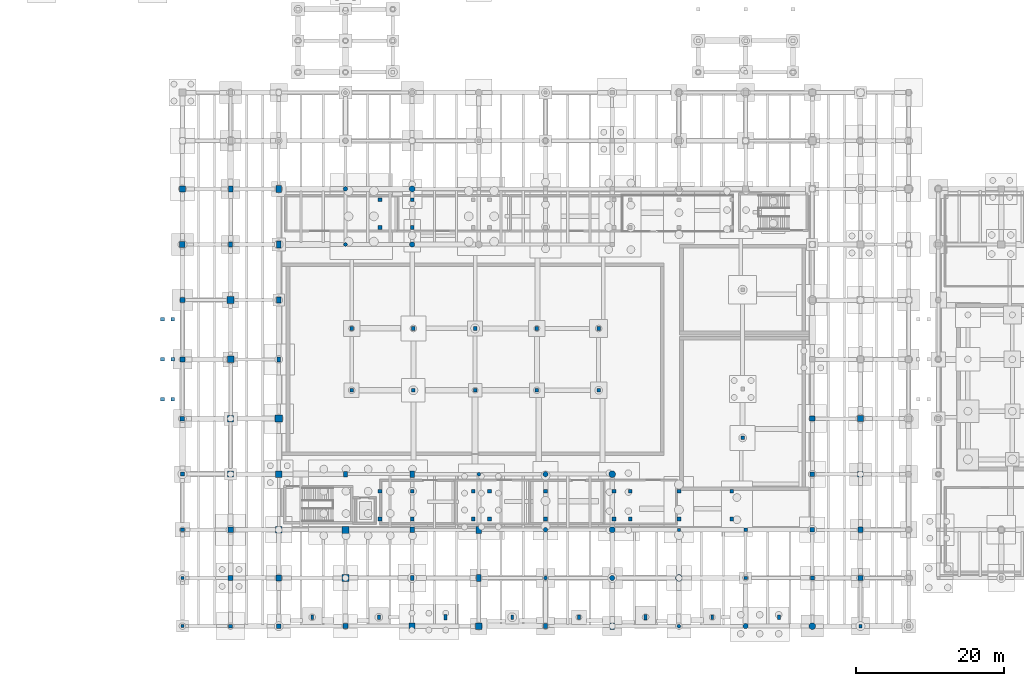
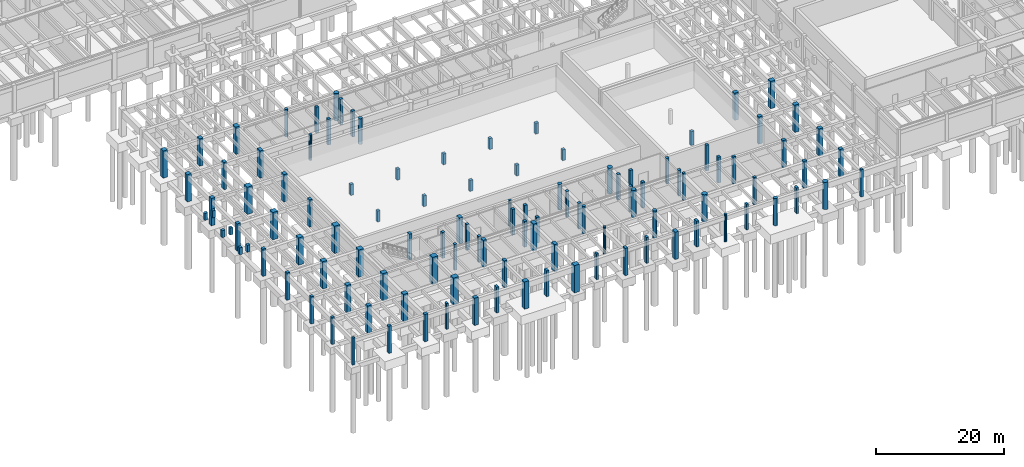
# One storey, part 16 of 36: 114 columns.
"""IFC4 building model written with IfcOpenShell, lengths in metres."""

from ifc_helpers import new_model, si_unit, direction, frame, origin, origin_2d, place, context, subcontext, project, spatial, rectangle, circle, extrude, material, material_profile, profile_set, type_object, element, save


model = new_model("IFC4")

# Units and contexts
model_context = context("Model", 3, precision=1e-05, world=origin(), true_north=direction((0.0, 1.0)))
body_context = subcontext(model_context, "Body", "Model", "MODEL_VIEW")
ifc_project = project(units=[si_unit("LENGTHUNIT", "METRE"), si_unit("AREAUNIT", "SQUARE_METRE"), si_unit("VOLUMEUNIT", "CUBIC_METRE"), si_unit("PLANEANGLEUNIT", "RADIAN"), si_unit("MASSUNIT", "GRAM", prefix="KILO"), si_unit("THERMODYNAMICTEMPERATUREUNIT", "KELVIN"), si_unit("POWERUNIT", "WATT")], contexts=[model_context])

# Site, building, storey
site_placement = place(None, origin())
site = spatial("IfcSite", under=ifc_project, at=site_placement, CompositionType="ELEMENT")
building_placement = place(site_placement, origin())
building = spatial("IfcBuilding", under=site, at=building_placement, Name="Tepalcoro Natatorium and Aquatics Centre", CompositionType="ELEMENT")
storey_placement = place(building_placement, frame((0.0, 0.0, -5.199951171875)))
storey = spatial("IfcBuildingStorey", under=building, at=storey_placement, Name="B1", CompositionType="ELEMENT", Elevation=-5.199951171875)

# Columns
ifc_material = material(Name="Concrete C40/50 (fc 40 MPa)", Category="concrete")
ifc_material_profile_1 = material_profile(ifc_material, rectangle(XDim=0.39990234375, YDim=0.39990234375, at=origin_2d()), Name="RC400x400")
ifc_profile_set_1 = profile_set([ifc_material_profile_1], Name="Concrete C40/50 (fc 40 MPa)")
column_type_1 = type_object("IfcColumnType", Name="COL_RC_400x400", PredefinedType="COLUMN", material=ifc_profile_set_1)
for number, where, z_axis, x_axis, name in (
    (1, (40.0, 0.0, 0.0), (0.0, 0.0, 1.0), (1.0, 0.0, 0.0), "V1 B1 Grid Column (40.0, 0.0)"),
    (2, (107.0, 13.0, 0.0), (0.0, 0.0, 1.0), (1.0, 0.0, 0.0), "V1 B1 Grid Column (107.0, 13.0)"),
):
    element("IfcColumn", number, at=place(storey_placement, frame(where, z_axis=z_axis, x_axis=x_axis)), inside=storey, type_object=column_type_1, Name=name, PredefinedType="COLUMN", context=body_context, shape_type="SweptSolid", body=[
        extrude(rectangle(XDim=0.39990234375, YDim=0.39990234375, at=origin_2d()), origin(), (0.0, 0.0, 1.0), 5.199951171875),
    ])
ifc_material_profile_2 = material_profile(ifc_material, rectangle(XDim=0.449951171875, YDim=0.449951171875, at=origin_2d()), Name="RC450x450")
ifc_profile_set_2 = profile_set([ifc_material_profile_2], Name="Concrete C40/50 (fc 40 MPa)")
column_type_2 = type_object("IfcColumnType", Name="COL_RC_450x450", PredefinedType="COLUMN", material=ifc_profile_set_2)
for number, where, z_axis, x_axis, name in (
    (3, (40.0, 6.5, 0.0), (0.0, 0.0, 1.0), (1.0, 0.0, 0.0), "V1 B1 Grid Column (40.0, 6.5)"),
    (4, (116.0, 6.5, 0.0), (0.0, 0.0, 1.0), (1.0, 0.0, 0.0), "V1 B1 Grid Column (116.0, 6.5)"),
    (5, (131.5, 0.0, 0.0), (0.0, 0.0, 1.0), (1.0, 0.0, 0.0), "V1 B1 Grid Column (131.5, 0.0)"),
):
    element("IfcColumn", number, at=place(storey_placement, frame(where, z_axis=z_axis, x_axis=x_axis)), inside=storey, type_object=column_type_2, Name=name, PredefinedType="COLUMN", context=body_context, shape_type="SweptSolid", body=[
        extrude(rectangle(XDim=0.449951171875, YDim=0.449951171875, at=origin_2d()), origin(), (0.0, 0.0, 1.0), 5.199951171875),
    ])
ifc_material_profile_3 = material_profile(ifc_material, rectangle(XDim=0.5, YDim=0.5, at=origin_2d()), Name="RC500x500")
ifc_profile_set_3 = profile_set([ifc_material_profile_3], Name="Concrete C40/50 (fc 40 MPa)")
column_type_3 = type_object("IfcColumnType", Name="COL_RC_500x500", PredefinedType="COLUMN", material=ifc_profile_set_3)
for number, where, z_axis, x_axis, name in (
    (6, (62.8330078125, 31.8330078125, 0.0), (0.0, 0.0, 1.0), (1.0, 0.0, 0.0), "Competition Pool Basin Support Column"),
    (7, (62.8330078125, 40.1669921875, 0.0), (0.0, 0.0, 1.0), (1.0, 0.0, 0.0), "Competition Pool Basin Support Column"),
    (8, (71.1669921875, 31.8330078125, 0.0), (0.0, 0.0, 1.0), (1.0, 0.0, 0.0), "Competition Pool Basin Support Column"),
    (9, (71.1669921875, 40.1669921875, 0.0), (0.0, 0.0, 1.0), (1.0, 0.0, 0.0), "Competition Pool Basin Support Column"),
    (10, (79.5, 31.8330078125, 0.0), (0.0, 0.0, 1.0), (1.0, 0.0, 0.0), "Competition Pool Basin Support Column"),
    (11, (79.5, 40.1669921875, 0.0), (0.0, 0.0, 1.0), (1.0, 0.0, 0.0), "Competition Pool Basin Support Column"),
    (12, (87.8330078125, 31.8330078125, 0.0), (0.0, 0.0, 1.0), (1.0, 0.0, 0.0), "Competition Pool Basin Support Column"),
    (13, (87.8330078125, 40.1669921875, 0.0), (0.0, 0.0, 1.0), (1.0, 0.0, 0.0), "Competition Pool Basin Support Column"),
    (14, (96.1669921875, 31.8330078125, 0.0), (0.0, 0.0, 1.0), (1.0, 0.0, 0.0), "Competition Pool Basin Support Column"),
    (15, (96.1669921875, 40.1669921875, 0.0), (0.0, 0.0, 1.0), (1.0, 0.0, 0.0), "Competition Pool Basin Support Column"),
):
    element("IfcColumn", number, at=place(storey_placement, frame(where, z_axis=z_axis, x_axis=x_axis)), inside=storey, type_object=column_type_3, Name=name, PredefinedType="COLUMN", context=body_context, shape_type="SweptSolid", body=[
        extrude(rectangle(XDim=0.5, YDim=0.5, at=origin_2d()), origin(), (0.0, 0.0, 1.0), 2.079833984375),
    ])
column_1_placement = place(storey_placement, frame((115.60009765625, 25.39990234375, 0.0), z_axis=(0.0, 0.0, 1.0), x_axis=(1.0, 0.0, 0.0)))
element("IfcColumn", 16, at=column_1_placement, inside=storey, type_object=column_type_3, Name="Training Pool Basin Support Column", PredefinedType="COLUMN", context=body_context, shape_type="SweptSolid", body=[
    extrude(rectangle(XDim=0.5, YDim=0.5, at=origin_2d()), origin(), (0.0, 0.0, 1.0), 2.639892578125),
])
for number, where, z_axis, x_axis, name in (
    (17, (40.0, 13.0, 0.0), (0.0, 0.0, 1.0), (1.0, 0.0, 0.0), "V1 B1 Grid Column (40.0, 13.0)"),
    (18, (46.5, 0.0, 0.0), (0.0, 0.0, 1.0), (1.0, 0.0, 0.0), "V1 B1 Grid Column (46.5, 0.0)"),
    (19, (116.0, 13.0, 0.0), (0.0, 0.0, 1.0), (1.0, 0.0, 0.0), "V1 B1 Grid Column (116.0, 13.0)"),
):
    element("IfcColumn", number, at=place(storey_placement, frame(where, z_axis=z_axis, x_axis=x_axis)), inside=storey, type_object=column_type_3, Name=name, PredefinedType="COLUMN", context=body_context, shape_type="SweptSolid", body=[
        extrude(rectangle(XDim=0.5, YDim=0.5, at=origin_2d()), origin(), (0.0, 0.0, 1.0), 5.199951171875),
    ])
for number, where, z_axis, x_axis, name in (
    (20, (37.300048828125, 30.60009765625, 3.449951171875), (0.0, 0.0, 1.0), (1.0, 0.0, 0.0), "West Foyer Seismic Link Foundation Pedestal Pier"),
    (21, (37.300048828125, 36.0, 3.449951171875), (0.0, 0.0, 1.0), (1.0, 0.0, 0.0), "West Foyer Seismic Link Foundation Pedestal Pier"),
    (22, (37.300048828125, 41.39990234375, 3.449951171875), (0.0, 0.0, 1.0), (1.0, 0.0, 0.0), "West Foyer Seismic Link Foundation Pedestal Pier"),
    (23, (38.699951171875, 30.60009765625, 3.449951171875), (0.0, 0.0, 1.0), (1.0, 0.0, 0.0), "West Foyer Seismic Link Foundation Pedestal Pier"),
    (24, (38.699951171875, 36.0, 3.449951171875), (0.0, 0.0, 1.0), (1.0, 0.0, 0.0), "West Foyer Seismic Link Foundation Pedestal Pier"),
    (25, (38.699951171875, 41.39990234375, 3.449951171875), (0.0, 0.0, 1.0), (1.0, 0.0, 0.0), "West Foyer Seismic Link Foundation Pedestal Pier"),
):
    element("IfcColumn", number, at=place(storey_placement, frame(where, z_axis=z_axis, x_axis=x_axis)), inside=storey, type_object=column_type_3, Name=name, PredefinedType="COLUMN", context=body_context, shape_type="SweptSolid", body=[
        extrude(rectangle(XDim=0.5, YDim=0.5, at=origin_2d()), origin(), (0.0, 0.0, 1.0), 1.330078125),
    ])
for number, where, z_axis, x_axis, name in (
    (26, (66.64990234375, 18.199951171875, 0.0), (0.0, 0.0, 1.0), (1.0, 0.0, 0.0), "Spectator Bowl Support Column B1 S-F"),
    (27, (66.64990234375, 14.449951171875, 0.0), (0.0, 0.0, 1.0), (1.0, 0.0, 0.0), "Spectator Bowl Support Column B1 S-B"),
    (28, (66.64990234375, 53.800048828125, 0.0), (0.0, 0.0, 1.0), (1.0, 0.0, 0.0), "Spectator Bowl Support Column B1 N-F"),
    (29, (66.64990234375, 57.550048828125, 0.0), (0.0, 0.0, 1.0), (1.0, 0.0, 0.0), "Spectator Bowl Support Column B1 N-B"),
    (30, (71.0, 18.199951171875, 0.0), (0.0, 0.0, 1.0), (1.0, 0.0, 0.0), "Spectator Bowl Support Column B1 S-F"),
    (31, (71.0, 14.449951171875, 0.0), (0.0, 0.0, 1.0), (1.0, 0.0, 0.0), "Spectator Bowl Support Column B1 S-B"),
    (32, (71.0, 53.800048828125, 0.0), (0.0, 0.0, 1.0), (1.0, 0.0, 0.0), "Spectator Bowl Support Column B1 N-F"),
    (33, (71.0, 57.550048828125, 0.0), (0.0, 0.0, 1.0), (1.0, 0.0, 0.0), "Spectator Bowl Support Column B1 N-B"),
    (34, (79.25, 18.199951171875, 0.0), (0.0, 0.0, 1.0), (1.0, 0.0, 0.0), "Spectator Bowl Support Column B1 S-F"),
    (35, (79.25, 14.449951171875, 0.0), (0.0, 0.0, 1.0), (1.0, 0.0, 0.0), "Spectator Bowl Support Column B1 S-B"),
    (36, (81.449951171875, 18.199951171875, 0.0), (0.0, 0.0, 1.0), (1.0, 0.0, 0.0), "Spectator Bowl Support Column B1 S-F"),
    (37, (81.449951171875, 14.449951171875, 0.0), (0.0, 0.0, 1.0), (1.0, 0.0, 0.0), "Spectator Bowl Support Column B1 S-B"),
    (38, (89.0, 18.199951171875, 0.0), (0.0, 0.0, 1.0), (1.0, 0.0, 0.0), "Spectator Bowl Support Column B1 S-F"),
    (39, (89.0, 14.449951171875, 0.0), (0.0, 0.0, 1.0), (1.0, 0.0, 0.0), "Spectator Bowl Support Column B1 S-B"),
    (40, (98.25, 18.199951171875, 0.0), (0.0, 0.0, 1.0), (1.0, 0.0, 0.0), "Spectator Bowl Support Column B1 S-F"),
    (41, (98.25, 14.449951171875, 0.0), (0.0, 0.0, 1.0), (1.0, 0.0, 0.0), "Spectator Bowl Support Column B1 S-B"),
    (42, (100.449951171875, 18.199951171875, 0.0), (0.0, 0.0, 1.0), (1.0, 0.0, 0.0), "Spectator Bowl Support Column B1 S-F"),
    (43, (100.449951171875, 14.449951171875, 0.0), (0.0, 0.0, 1.0), (1.0, 0.0, 0.0), "Spectator Bowl Support Column B1 S-B"),
    (44, (107.0, 18.199951171875, 0.0), (0.0, 0.0, 1.0), (1.0, 0.0, 0.0), "Spectator Bowl Support Column B1 S-F"),
    (45, (107.0, 14.449951171875, 0.0), (0.0, 0.0, 1.0), (1.0, 0.0, 0.0), "Spectator Bowl Support Column B1 S-B"),
    (46, (114.14990234375, 18.199951171875, 0.0), (0.0, 0.0, 1.0), (1.0, 0.0, 0.0), "Spectator Bowl Support Column B1 S-F"),
    (47, (114.14990234375, 14.449951171875, 0.0), (0.0, 0.0, 1.0), (1.0, 0.0, 0.0), "Spectator Bowl Support Column B1 S-B"),
):
    element("IfcColumn", number, at=place(storey_placement, frame(where, z_axis=z_axis, x_axis=x_axis)), inside=storey, type_object=column_type_3, Name=name, PredefinedType="COLUMN", context=body_context, shape_type="SweptSolid", body=[
        extrude(rectangle(XDim=0.5, YDim=0.5, at=origin_2d()), origin(), (0.0, 0.0, 1.0), 4.919921875),
    ])
ifc_material_profile_4 = material_profile(ifc_material, rectangle(XDim=0.5, YDim=0.699951171875, at=origin_2d()), Name="RC500x700")
ifc_profile_set_4 = profile_set([ifc_material_profile_4], Name="Concrete C40/50 (fc 40 MPa)")
column_type_4 = type_object("IfcColumnType", Name="COL_RC_500x700", PredefinedType="COLUMN", material=ifc_profile_set_4)
for number, where, z_axis, x_axis, name in (
    (48, (46.5, 51.5, 0.0), (0.0, 0.0, 1.0), (1.0, 0.0, 0.0), "V1 B1 Grid Column (46.5, 51.5)"),
    (49, (53.0, 36.0, 0.0), (0.0, 0.0, 1.0), (1.0, 0.0, 0.0), "V1 B1 Grid Column (53.0, 36.0)"),
):
    element("IfcColumn", number, at=place(storey_placement, frame(where, z_axis=z_axis, x_axis=x_axis)), inside=storey, type_object=column_type_4, Name=name, PredefinedType="COLUMN", context=body_context, shape_type="SweptSolid", body=[
        extrude(rectangle(XDim=0.5, YDim=0.699951171875, at=origin_2d()), origin(), (0.0, 0.0, 1.0), 5.199951171875),
    ])
column_2_placement = place(storey_placement, frame((62.0, 20.5, 0.0), z_axis=(0.0, 0.0, 1.0), x_axis=(1.0, 0.0, 0.0)))
element("IfcColumn", 50, at=column_2_placement, inside=storey, type_object=column_type_4, Name="V1 B1 Grid Column (62.0, 20.5)", PredefinedType="COLUMN", context=body_context, shape_type="SweptSolid", body=[
    extrude(rectangle(XDim=0.5, YDim=0.699951171875, at=origin_2d()), origin(), (0.0, 0.0, 1.0), 4.89990234375),
])
for number, where, z_axis, x_axis, name in (
    (51, (71.0, 6.5, 0.0), (0.0, 0.0, 1.0), (1.0, 0.0, 0.0), "V1 B1 Grid Column (71.0, 6.5)"),
    (52, (89.0, 0.0, 0.0), (0.0, 0.0, 1.0), (1.0, 0.0, 0.0), "V1 B1 Grid Column (89.0, 0.0)"),
):
    element("IfcColumn", number, at=place(storey_placement, frame(where, z_axis=z_axis, x_axis=x_axis)), inside=storey, type_object=column_type_4, Name=name, PredefinedType="COLUMN", context=body_context, shape_type="SweptSolid", body=[
        extrude(rectangle(XDim=0.5, YDim=0.699951171875, at=origin_2d()), origin(), (0.0, 0.0, 1.0), 5.199951171875),
    ])
ifc_material_profile_5 = material_profile(ifc_material, rectangle(XDim=0.550048828125, YDim=0.550048828125, at=origin_2d()), Name="RC550x550")
ifc_profile_set_5 = profile_set([ifc_material_profile_5], Name="Concrete C40/50 (fc 40 MPa)")
column_type_5 = type_object("IfcColumnType", Name="COL_RC_550x550", PredefinedType="COLUMN", material=ifc_profile_set_5)
for number, where, z_axis, x_axis, name in (
    (53, (40.0, 20.5, 0.0), (0.0, 0.0, 1.0), (1.0, 0.0, 0.0), "V1 B1 Grid Column (40.0, 20.5)"),
    (54, (125.0, 6.5, 0.0), (0.0, 0.0, 1.0), (1.0, 0.0, 0.0), "V1 B1 Grid Column (125.0, 6.5)"),
):
    element("IfcColumn", number, at=place(storey_placement, frame(where, z_axis=z_axis, x_axis=x_axis)), inside=storey, type_object=column_type_5, Name=name, PredefinedType="COLUMN", context=body_context, shape_type="SweptSolid", body=[
        extrude(rectangle(XDim=0.550048828125, YDim=0.550048828125, at=origin_2d()), origin(), (0.0, 0.0, 1.0), 5.199951171875),
    ])
ifc_material_profile_6 = material_profile(ifc_material, rectangle(XDim=0.60009765625, YDim=0.60009765625, at=origin_2d()), Name="RC600x600")
ifc_profile_set_6 = profile_set([ifc_material_profile_6], Name="Concrete C40/50 (fc 40 MPa)")
column_type_6 = type_object("IfcColumnType", Name="COL_RC_600x600", PredefinedType="COLUMN", material=ifc_profile_set_6)
for number, where, z_axis, x_axis, name in (
    (55, (40.0, 28.0, 0.0), (0.0, 0.0, 1.0), (1.0, 0.0, 0.0), "V1 B1 Grid Column (40.0, 28.0)"),
    (56, (53.0, 0.0, 0.0), (0.0, 0.0, 1.0), (1.0, 0.0, 0.0), "V1 B1 Grid Column (53.0, 0.0)"),
    (57, (125.0, 13.0, 0.0), (0.0, 0.0, 1.0), (1.0, 0.0, 0.0), "V1 B1 Grid Column (125.0, 13.0)"),
):
    element("IfcColumn", number, at=place(storey_placement, frame(where, z_axis=z_axis, x_axis=x_axis)), inside=storey, type_object=column_type_6, Name=name, PredefinedType="COLUMN", context=body_context, shape_type="SweptSolid", body=[
        extrude(rectangle(XDim=0.60009765625, YDim=0.60009765625, at=origin_2d()), origin(), (0.0, 0.0, 1.0), 5.199951171875),
    ])
ifc_material_profile_7 = material_profile(ifc_material, rectangle(XDim=0.60009765625, YDim=0.800048828125, at=origin_2d()), Name="RC600x800")
ifc_profile_set_7 = profile_set([ifc_material_profile_7], Name="Concrete C40/50 (fc 40 MPa)")
column_type_7 = type_object("IfcColumnType", Name="COL_RC_600x800", PredefinedType="COLUMN", material=ifc_profile_set_7)
for number, where, z_axis, x_axis, name in (
    (58, (46.5, 59.0, 0.0), (0.0, 0.0, 1.0), (1.0, 0.0, 0.0), "V1 B1 Grid Column (46.5, 59.0)"),
    (59, (53.0, 44.0, 0.0), (0.0, 0.0, 1.0), (1.0, 0.0, 0.0), "V1 B1 Grid Column (53.0, 44.0)"),
    (60, (71.0, 13.0, 0.0), (0.0, 0.0, 1.0), (1.0, 0.0, 0.0), "V1 B1 Grid Column (71.0, 13.0)"),
):
    element("IfcColumn", number, at=place(storey_placement, frame(where, z_axis=z_axis, x_axis=x_axis)), inside=storey, type_object=column_type_7, Name=name, PredefinedType="COLUMN", context=body_context, shape_type="SweptSolid", body=[
        extrude(rectangle(XDim=0.60009765625, YDim=0.800048828125, at=origin_2d()), origin(), (0.0, 0.0, 1.0), 5.199951171875),
    ])
ifc_material_profile_8 = material_profile(ifc_material, rectangle(XDim=0.60009765625, YDim=0.89990234375, at=origin_2d()), Name="RC600x900")
ifc_profile_set_8 = profile_set([ifc_material_profile_8], Name="Concrete C40/50 (fc 40 MPa)")
column_type_8 = type_object("IfcColumnType", Name="COL_RC_600x900", PredefinedType="COLUMN", material=ifc_profile_set_8)
column_3_placement = place(storey_placement, frame((53.0, 51.5, 0.0), z_axis=(0.0, 0.0, 1.0), x_axis=(1.0, 0.0, 0.0)))
element("IfcColumn", 61, at=column_3_placement, inside=storey, type_object=column_type_8, Name="V1 B1 Grid Column (53.0, 51.5)", PredefinedType="COLUMN", context=body_context, shape_type="SweptSolid", body=[
    extrude(rectangle(XDim=0.60009765625, YDim=0.89990234375, at=origin_2d()), origin(), (0.0, 0.0, 1.0), 5.199951171875),
])
column_4_placement = place(storey_placement, frame((71.0, 20.5, 0.0), z_axis=(0.0, 0.0, 1.0), x_axis=(1.0, 0.0, 0.0)))
element("IfcColumn", 62, at=column_4_placement, inside=storey, type_object=column_type_8, Name="V1 B1 Grid Column (71.0, 20.5)", PredefinedType="COLUMN", context=body_context, shape_type="SweptSolid", body=[
    extrude(rectangle(XDim=0.60009765625, YDim=0.89990234375, at=origin_2d()), origin(), (0.0, 0.0, 1.0), 4.89990234375),
])
for number, where, z_axis, x_axis, name in (
    (63, (80.0, 6.5, 0.0), (0.0, 0.0, 1.0), (1.0, 0.0, 0.0), "V1 B1 Grid Column (80.0, 6.5)"),
    (64, (98.0, 0.0, 0.0), (0.0, 0.0, 1.0), (1.0, 0.0, 0.0), "V1 B1 Grid Column (98.0, 0.0)"),
):
    element("IfcColumn", number, at=place(storey_placement, frame(where, z_axis=z_axis, x_axis=x_axis)), inside=storey, type_object=column_type_8, Name=name, PredefinedType="COLUMN", context=body_context, shape_type="SweptSolid", body=[
        extrude(rectangle(XDim=0.60009765625, YDim=0.89990234375, at=origin_2d()), origin(), (0.0, 0.0, 1.0), 5.199951171875),
    ])
ifc_material_profile_9 = material_profile(ifc_material, rectangle(XDim=0.64990234375, YDim=0.64990234375, at=origin_2d()), Name="RC650x650")
ifc_profile_set_9 = profile_set([ifc_material_profile_9], Name="Concrete C40/50 (fc 40 MPa)")
column_type_9 = type_object("IfcColumnType", Name="COL_RC_650x650", PredefinedType="COLUMN", material=ifc_profile_set_9)
for number, where, z_axis, x_axis, name in (
    (65, (40.0, 36.0, 0.0), (0.0, 0.0, 1.0), (1.0, 0.0, 0.0), "V1 B1 Grid Column (40.0, 36.0)"),
    (66, (125.0, 20.5, 0.0), (0.0, 0.0, 1.0), (1.0, 0.0, 0.0), "V1 B1 Grid Column (125.0, 20.5)"),
    (67, (131.5, 6.5, 0.0), (0.0, 0.0, 1.0), (1.0, 0.0, 0.0), "V1 B1 Grid Column (131.5, 6.5)"),
):
    element("IfcColumn", number, at=place(storey_placement, frame(where, z_axis=z_axis, x_axis=x_axis)), inside=storey, type_object=column_type_9, Name=name, PredefinedType="COLUMN", context=body_context, shape_type="SweptSolid", body=[
        extrude(rectangle(XDim=0.64990234375, YDim=0.64990234375, at=origin_2d()), origin(), (0.0, 0.0, 1.0), 5.199951171875),
    ])
ifc_material_profile_10 = material_profile(ifc_material, rectangle(XDim=0.699951171875, YDim=0.699951171875, at=origin_2d()), Name="RC700x700")
ifc_profile_set_10 = profile_set([ifc_material_profile_10], Name="Concrete C40/50 (fc 40 MPa)")
column_type_10 = type_object("IfcColumnType", Name="COL_RC_700x700", PredefinedType="COLUMN", material=ifc_profile_set_10)
for number, where, z_axis, x_axis, name in (
    (68, (40.0, 44.0, 0.0), (0.0, 0.0, 1.0), (1.0, 0.0, 0.0), "V1 B1 Grid Column (40.0, 44.0)"),
    (69, (46.5, 6.5, 0.0), (0.0, 0.0, 1.0), (1.0, 0.0, 0.0), "V1 B1 Grid Column (46.5, 6.5)"),
    (70, (62.0, 0.0, 0.0), (0.0, 0.0, 1.0), (1.0, 0.0, 0.0), "V1 B1 Grid Column (62.0, 0.0)"),
    (71, (125.0, 28.0, 0.0), (0.0, 0.0, 1.0), (1.0, 0.0, 0.0), "V1 B1 Grid Column (125.0, 28.0)"),
    (72, (131.5, 13.0, 0.0), (0.0, 0.0, 1.0), (1.0, 0.0, 0.0), "V1 B1 Grid Column (131.5, 13.0)"),
):
    element("IfcColumn", number, at=place(storey_placement, frame(where, z_axis=z_axis, x_axis=x_axis)), inside=storey, type_object=column_type_10, Name=name, PredefinedType="COLUMN", context=body_context, shape_type="SweptSolid", body=[
        extrude(rectangle(XDim=0.699951171875, YDim=0.699951171875, at=origin_2d()), origin(), (0.0, 0.0, 1.0), 5.199951171875),
    ])
ifc_material_profile_11 = material_profile(ifc_material, rectangle(XDim=0.699951171875, YDim=0.949951171875, at=origin_2d()), Name="RC700x950")
ifc_profile_set_11 = profile_set([ifc_material_profile_11], Name="Concrete C40/50 (fc 40 MPa)")
column_type_11 = type_object("IfcColumnType", Name="COL_RC_700x950", PredefinedType="COLUMN", material=ifc_profile_set_11)
for number, where, z_axis, x_axis, name in (
    (73, (53.0, 59.0, 0.0), (0.0, 0.0, 1.0), (1.0, 0.0, 0.0), "V1 B1 Grid Column (53.0, 59.0)"),
    (74, (80.0, 13.0, 0.0), (0.0, 0.0, 1.0), (1.0, 0.0, 0.0), "V1 B1 Grid Column (80.0, 13.0)"),
):
    element("IfcColumn", number, at=place(storey_placement, frame(where, z_axis=z_axis, x_axis=x_axis)), inside=storey, type_object=column_type_11, Name=name, PredefinedType="COLUMN", context=body_context, shape_type="SweptSolid", body=[
        extrude(rectangle(XDim=0.699951171875, YDim=0.949951171875, at=origin_2d()), origin(), (0.0, 0.0, 1.0), 5.199951171875),
    ])
ifc_material_profile_12 = material_profile(ifc_material, rectangle(XDim=0.75, YDim=0.75, at=origin_2d()), Name="RC750x750")
ifc_profile_set_12 = profile_set([ifc_material_profile_12], Name="Concrete C40/50 (fc 40 MPa)")
column_type_12 = type_object("IfcColumnType", Name="COL_RC_750x750", PredefinedType="COLUMN", material=ifc_profile_set_12)
for number, where, z_axis, x_axis, name in (
    (75, (40.0, 51.5, 0.0), (0.0, 0.0, 1.0), (1.0, 0.0, 0.0), "V1 B1 Grid Column (40.0, 51.5)"),
    (76, (46.5, 13.0, 0.0), (0.0, 0.0, 1.0), (1.0, 0.0, 0.0), "V1 B1 Grid Column (46.5, 13.0)"),
    (77, (131.5, 20.5, 0.0), (0.0, 0.0, 1.0), (1.0, 0.0, 0.0), "V1 B1 Grid Column (131.5, 20.5)"),
):
    element("IfcColumn", number, at=place(storey_placement, frame(where, z_axis=z_axis, x_axis=x_axis)), inside=storey, type_object=column_type_12, Name=name, PredefinedType="COLUMN", context=body_context, shape_type="SweptSolid", body=[
        extrude(rectangle(XDim=0.75, YDim=0.75, at=origin_2d()), origin(), (0.0, 0.0, 1.0), 5.199951171875),
    ])
ifc_material_profile_13 = material_profile(ifc_material, rectangle(XDim=0.800048828125, YDim=0.800048828125, at=origin_2d()), Name="RC800x800")
ifc_profile_set_13 = profile_set([ifc_material_profile_13], Name="Concrete C40/50 (fc 40 MPa)")
column_type_13 = type_object("IfcColumnType", Name="COL_RC_800x800", PredefinedType="COLUMN", material=ifc_profile_set_13)
for number, where, z_axis, x_axis, name in (
    (78, (40.0, 59.0, 0.0), (0.0, 0.0, 1.0), (1.0, 0.0, 0.0), "V1 B1 Grid Column (40.0, 59.0)"),
    (79, (46.5, 20.5, 0.0), (0.0, 0.0, 1.0), (1.0, 0.0, 0.0), "V1 B1 Grid Column (46.5, 20.5)"),
    (80, (53.0, 6.5, 0.0), (0.0, 0.0, 1.0), (1.0, 0.0, 0.0), "V1 B1 Grid Column (53.0, 6.5)"),
    (81, (71.0, 0.0, 0.0), (0.0, 0.0, 1.0), (1.0, 0.0, 0.0), "V1 B1 Grid Column (71.0, 0.0)"),
    (82, (131.5, 28.0, 0.0), (0.0, 0.0, 1.0), (1.0, 0.0, 0.0), "V1 B1 Grid Column (131.5, 28.0)"),
):
    element("IfcColumn", number, at=place(storey_placement, frame(where, z_axis=z_axis, x_axis=x_axis)), inside=storey, type_object=column_type_13, Name=name, PredefinedType="COLUMN", context=body_context, shape_type="SweptSolid", body=[
        extrude(rectangle(XDim=0.800048828125, YDim=0.800048828125, at=origin_2d()), origin(), (0.0, 0.0, 1.0), 5.199951171875),
    ])
ifc_material_profile_14 = material_profile(ifc_material, rectangle(XDim=0.85009765625, YDim=0.85009765625, at=origin_2d()), Name="RC850x850")
ifc_profile_set_14 = profile_set([ifc_material_profile_14], Name="Concrete C40/50 (fc 40 MPa)")
column_type_14 = type_object("IfcColumnType", Name="COL_RC_850x850", PredefinedType="COLUMN", material=ifc_profile_set_14)
for number, where, z_axis, x_axis, name in (
    (83, (46.5, 28.0, 0.0), (0.0, 0.0, 1.0), (1.0, 0.0, 0.0), "V1 B1 Grid Column (46.5, 28.0)"),
    (84, (53.0, 13.0, 0.0), (0.0, 0.0, 1.0), (1.0, 0.0, 0.0), "V1 B1 Grid Column (53.0, 13.0)"),
):
    element("IfcColumn", number, at=place(storey_placement, frame(where, z_axis=z_axis, x_axis=x_axis)), inside=storey, type_object=column_type_14, Name=name, PredefinedType="COLUMN", context=body_context, shape_type="SweptSolid", body=[
        extrude(rectangle(XDim=0.85009765625, YDim=0.85009765625, at=origin_2d()), origin(), (0.0, 0.0, 1.0), 5.199951171875),
    ])
ifc_material_profile_15 = material_profile(ifc_material, rectangle(XDim=0.89990234375, YDim=0.89990234375, at=origin_2d()), Name="RC900x900")
ifc_profile_set_15 = profile_set([ifc_material_profile_15], Name="Concrete C40/50 (fc 40 MPa)")
column_type_15 = type_object("IfcColumnType", Name="COL_RC_900x900", PredefinedType="COLUMN", material=ifc_profile_set_15)
for number, where, z_axis, x_axis, name in (
    (85, (46.5, 36.0, 0.0), (0.0, 0.0, 1.0), (1.0, 0.0, 0.0), "V1 B1 Grid Column (46.5, 36.0)"),
    (86, (53.0, 20.5, 0.0), (0.0, 0.0, 1.0), (1.0, 0.0, 0.0), "V1 B1 Grid Column (53.0, 20.5)"),
    (87, (62.0, 6.5, 0.0), (0.0, 0.0, 1.0), (1.0, 0.0, 0.0), "V1 B1 Grid Column (62.0, 6.5)"),
    (88, (80.0, 0.0, 0.0), (0.0, 0.0, 1.0), (1.0, 0.0, 0.0), "V1 B1 Grid Column (80.0, 0.0)"),
):
    element("IfcColumn", number, at=place(storey_placement, frame(where, z_axis=z_axis, x_axis=x_axis)), inside=storey, type_object=column_type_15, Name=name, PredefinedType="COLUMN", context=body_context, shape_type="SweptSolid", body=[
        extrude(rectangle(XDim=0.89990234375, YDim=0.89990234375, at=origin_2d()), origin(), (0.0, 0.0, 1.0), 5.199951171875),
    ])
ifc_material_profile_16 = material_profile(ifc_material, rectangle(XDim=0.949951171875, YDim=0.949951171875, at=origin_2d()), Name="RC950x950")
ifc_profile_set_16 = profile_set([ifc_material_profile_16], Name="Concrete C40/50 (fc 40 MPa)")
column_type_16 = type_object("IfcColumnType", Name="COL_RC_950x950", PredefinedType="COLUMN", material=ifc_profile_set_16)
for number, where, z_axis, x_axis, name in (
    (89, (46.5, 44.0, 0.0), (0.0, 0.0, 1.0), (1.0, 0.0, 0.0), "V1 B1 Grid Column (46.5, 44.0)"),
    (90, (53.0, 28.0, 0.0), (0.0, 0.0, 1.0), (1.0, 0.0, 0.0), "V1 B1 Grid Column (53.0, 28.0)"),
    (91, (62.0, 13.0, 0.0), (0.0, 0.0, 1.0), (1.0, 0.0, 0.0), "V1 B1 Grid Column (62.0, 13.0)"),
):
    element("IfcColumn", number, at=place(storey_placement, frame(where, z_axis=z_axis, x_axis=x_axis)), inside=storey, type_object=column_type_16, Name=name, PredefinedType="COLUMN", context=body_context, shape_type="SweptSolid", body=[
        extrude(rectangle(XDim=0.949951171875, YDim=0.949951171875, at=origin_2d()), origin(), (0.0, 0.0, 1.0), 5.199951171875),
    ])
ifc_material_profile_17 = material_profile(ifc_material, circle(Radius=0.25, at=origin_2d()), Name="RCD500")
ifc_profile_set_17 = profile_set([ifc_material_profile_17], Name="Concrete C40/50 (fc 40 MPa)")
column_type_17 = type_object("IfcColumnType", Name="COL_RC_D500", PredefinedType="COLUMN", material=ifc_profile_set_17)
for number, where, z_axis, x_axis, name in (
    (92, (62.0, 51.5, 0.0), (0.0, 0.0, 1.0), (1.0, 0.0, 0.0), "V1 B1 Grid Column (62.0, 51.5)"),
    (93, (80.0, 20.5, 0.0), (0.0, 0.0, 1.0), (1.0, 0.0, 0.0), "V1 B1 Grid Column (80.0, 20.5)"),
):
    element("IfcColumn", number, at=place(storey_placement, frame(where, z_axis=z_axis, x_axis=x_axis)), inside=storey, type_object=column_type_17, Name=name, PredefinedType="COLUMN", context=body_context, shape_type="SweptSolid", body=[
        extrude(circle(Radius=0.25, at=origin_2d()), origin(), (0.0, 0.0, 1.0), 4.89990234375),
    ])
for number, where, z_axis, x_axis, name in (
    (94, (89.0, 6.5, 0.0), (0.0, 0.0, 1.0), (1.0, 0.0, 0.0), "V1 B1 Grid Column (89.0, 6.5)"),
    (95, (107.0, 0.0, 0.0), (0.0, 0.0, 1.0), (1.0, 0.0, 0.0), "V1 B1 Grid Column (107.0, 0.0)"),
):
    element("IfcColumn", number, at=place(storey_placement, frame(where, z_axis=z_axis, x_axis=x_axis)), inside=storey, type_object=column_type_17, Name=name, PredefinedType="COLUMN", context=body_context, shape_type="SweptSolid", body=[
        extrude(circle(Radius=0.25, at=origin_2d()), origin(), (0.0, 0.0, 1.0), 5.199951171875),
    ])
ifc_material_profile_18 = material_profile(ifc_material, circle(Radius=0.300048828125, at=origin_2d()), Name="RCD600")
ifc_profile_set_18 = profile_set([ifc_material_profile_18], Name="Concrete C40/50 (fc 40 MPa)")
column_type_18 = type_object("IfcColumnType", Name="COL_RC_D600", PredefinedType="COLUMN", material=ifc_profile_set_18)
for number, where, z_axis, x_axis, name in (
    (96, (62.0, 59.0, 0.0), (0.0, 0.0, 1.0), (1.0, 0.0, 0.0), "V1 B1 Grid Column (62.0, 59.0)"),
    (97, (89.0, 13.0, 0.0), (0.0, 0.0, 1.0), (1.0, 0.0, 0.0), "V1 B1 Grid Column (89.0, 13.0)"),
):
    element("IfcColumn", number, at=place(storey_placement, frame(where, z_axis=z_axis, x_axis=x_axis)), inside=storey, type_object=column_type_18, Name=name, PredefinedType="COLUMN", context=body_context, shape_type="SweptSolid", body=[
        extrude(circle(Radius=0.300048828125, at=origin_2d()), origin(), (0.0, 0.0, 1.0), 5.199951171875),
    ])
ifc_material_profile_19 = material_profile(ifc_material, circle(Radius=0.35009765625, at=origin_2d()), Name="RCD700")
ifc_profile_set_19 = profile_set([ifc_material_profile_19], Name="Concrete C40/50 (fc 40 MPa)")
column_type_19 = type_object("IfcColumnType", Name="COL_RC_D700", PredefinedType="COLUMN", material=ifc_profile_set_19)
for number, where, z_axis, x_axis, name in (
    (98, (71.0, 51.5, 0.0), (0.0, 0.0, 1.0), (1.0, 0.0, 0.0), "V1 B1 Grid Column (71.0, 51.5)"),
    (99, (89.0, 20.5, 0.0), (0.0, 0.0, 1.0), (1.0, 0.0, 0.0), "V1 B1 Grid Column (89.0, 20.5)"),
):
    element("IfcColumn", number, at=place(storey_placement, frame(where, z_axis=z_axis, x_axis=x_axis)), inside=storey, type_object=column_type_19, Name=name, PredefinedType="COLUMN", context=body_context, shape_type="SweptSolid", body=[
        extrude(circle(Radius=0.35009765625, at=origin_2d()), origin(), (0.0, 0.0, 1.0), 4.89990234375),
    ])
for number, where, z_axis, x_axis, name in (
    (100, (98.0, 6.5, 0.0), (0.0, 0.0, 1.0), (1.0, 0.0, 0.0), "V1 B1 Grid Column (98.0, 6.5)"),
    (101, (116.0, 0.0, 0.0), (0.0, 0.0, 1.0), (1.0, 0.0, 0.0), "V1 B1 Grid Column (116.0, 0.0)"),
):
    element("IfcColumn", number, at=place(storey_placement, frame(where, z_axis=z_axis, x_axis=x_axis)), inside=storey, type_object=column_type_19, Name=name, PredefinedType="COLUMN", context=body_context, shape_type="SweptSolid", body=[
        extrude(circle(Radius=0.35009765625, at=origin_2d()), origin(), (0.0, 0.0, 1.0), 5.199951171875),
    ])
ifc_material_profile_20 = material_profile(ifc_material, circle(Radius=0.39990234375, at=origin_2d()), Name="RCD800")
ifc_profile_set_20 = profile_set([ifc_material_profile_20], Name="Concrete C40/50 (fc 40 MPa)")
column_type_20 = type_object("IfcColumnType", Name="COL_RC_D800", PredefinedType="COLUMN", material=ifc_profile_set_20)
for number, where, z_axis, x_axis, name in (
    (102, (71.0, 59.0, 0.0), (0.0, 0.0, 1.0), (1.0, 0.0, 0.0), "V1 B1 Grid Column (71.0, 59.0)"),
    (103, (98.0, 13.0, 0.0), (0.0, 0.0, 1.0), (1.0, 0.0, 0.0), "V1 B1 Grid Column (98.0, 13.0)"),
):
    element("IfcColumn", number, at=place(storey_placement, frame(where, z_axis=z_axis, x_axis=x_axis)), inside=storey, type_object=column_type_20, Name=name, PredefinedType="COLUMN", context=body_context, shape_type="SweptSolid", body=[
        extrude(circle(Radius=0.39990234375, at=origin_2d()), origin(), (0.0, 0.0, 1.0), 5.199951171875),
    ])
ifc_material_profile_21 = material_profile(ifc_material, circle(Radius=0.449951171875, at=origin_2d()), Name="RCD900")
ifc_profile_set_21 = profile_set([ifc_material_profile_21], Name="Concrete C40/50 (fc 40 MPa)")
column_type_21 = type_object("IfcColumnType", Name="COL_RC_D900", PredefinedType="COLUMN", material=ifc_profile_set_21)
column_5_placement = place(storey_placement, frame((98.0, 20.5, 0.0), z_axis=(0.0, 0.0, 1.0), x_axis=(1.0, 0.0, 0.0)))
element("IfcColumn", 104, at=column_5_placement, inside=storey, type_object=column_type_21, Name="V1 B1 Grid Column (98.0, 20.5)", PredefinedType="COLUMN", context=body_context, shape_type="SweptSolid", body=[
    extrude(circle(Radius=0.449951171875, at=origin_2d()), origin(), (0.0, 0.0, 1.0), 4.89990234375),
])
for number, where, z_axis, x_axis, name in (
    (105, (107.0, 6.5, 0.0), (0.0, 0.0, 1.0), (1.0, 0.0, 0.0), "V1 B1 Grid Column (107.0, 6.5)"),
    (106, (125.0, 0.0, 0.0), (0.0, 0.0, 1.0), (1.0, 0.0, 0.0), "V1 B1 Grid Column (125.0, 0.0)"),
):
    element("IfcColumn", number, at=place(storey_placement, frame(where, z_axis=z_axis, x_axis=x_axis)), inside=storey, type_object=column_type_21, Name=name, PredefinedType="COLUMN", context=body_context, shape_type="SweptSolid", body=[
        extrude(circle(Radius=0.449951171875, at=origin_2d()), origin(), (0.0, 0.0, 1.0), 5.199951171875),
    ])
ifc_material_profile_22 = material_profile(ifc_material, rectangle(XDim=0.35009765625, YDim=0.550048828125, at=origin_2d()), Name="PIL350x550")
ifc_profile_set_22 = profile_set([ifc_material_profile_22], Name="Concrete C40/50 (fc 40 MPa)")
column_type_22 = type_object("IfcColumnType", Name="PIL_RC_350x550", PredefinedType="PILASTER", material=ifc_profile_set_22)
for number, where, z_axis, x_axis, name in (
    (107, (57.5, 1.199951171875, 0.0), (0.0, 0.0, 1.0), (1.0, 0.0, 0.0), "V1 South Plinth Pilaster Foundation Pier"),
    (108, (84.5, 1.199951171875, 0.0), (0.0, 0.0, 1.0), (1.0, 0.0, 0.0), "V1 South Plinth Pilaster Foundation Pier"),
    (109, (111.5, 1.199951171875, 0.0), (0.0, 0.0, 1.0), (1.0, 0.0, 0.0), "V1 South Plinth Pilaster Foundation Pier"),
):
    element("IfcColumn", number, at=place(storey_placement, frame(where, z_axis=z_axis, x_axis=x_axis)), inside=storey, type_object=column_type_22, Name=name, PredefinedType="PILASTER", context=body_context, shape_type="SweptSolid", body=[
        extrude(rectangle(XDim=0.35009765625, YDim=0.550048828125, at=origin_2d()), origin(), (0.0, 0.0, 1.0), 4.919921875),
    ])
ifc_material_profile_23 = material_profile(ifc_material, rectangle(XDim=0.39990234375, YDim=0.64990234375, at=origin_2d()), Name="PIL400x650")
ifc_profile_set_23 = profile_set([ifc_material_profile_23], Name="Concrete C40/50 (fc 40 MPa)")
column_type_23 = type_object("IfcColumnType", Name="PIL_RC_400x650", PredefinedType="PILASTER", material=ifc_profile_set_23)
for number, where, z_axis, x_axis, name in (
    (110, (66.5, 1.199951171875, 0.0), (0.0, 0.0, 1.0), (1.0, 0.0, 0.0), "V1 South Plinth Pilaster Foundation Pier"),
    (111, (93.5, 1.199951171875, 0.0), (0.0, 0.0, 1.0), (1.0, 0.0, 0.0), "V1 South Plinth Pilaster Foundation Pier"),
    (112, (120.5, 1.199951171875, 0.0), (0.0, 0.0, 1.0), (1.0, 0.0, 0.0), "V1 South Plinth Pilaster Foundation Pier"),
):
    element("IfcColumn", number, at=place(storey_placement, frame(where, z_axis=z_axis, x_axis=x_axis)), inside=storey, type_object=column_type_23, Name=name, PredefinedType="PILASTER", context=body_context, shape_type="SweptSolid", body=[
        extrude(rectangle(XDim=0.39990234375, YDim=0.64990234375, at=origin_2d()), origin(), (0.0, 0.0, 1.0), 4.919921875),
    ])
ifc_material_profile_24 = material_profile(ifc_material, rectangle(XDim=0.449951171875, YDim=0.75, at=origin_2d()), Name="PIL450x750")
ifc_profile_set_24 = profile_set([ifc_material_profile_24], Name="Concrete C40/50 (fc 40 MPa)")
column_type_24 = type_object("IfcColumnType", Name="PIL_RC_450x750", PredefinedType="PILASTER", material=ifc_profile_set_24)
for number, where, z_axis, x_axis, name in (
    (113, (75.5, 1.199951171875, 0.0), (0.0, 0.0, 1.0), (1.0, 0.0, 0.0), "V1 South Plinth Pilaster Foundation Pier"),
    (114, (102.5, 1.199951171875, 0.0), (0.0, 0.0, 1.0), (1.0, 0.0, 0.0), "V1 South Plinth Pilaster Foundation Pier"),
):
    element("IfcColumn", number, at=place(storey_placement, frame(where, z_axis=z_axis, x_axis=x_axis)), inside=storey, type_object=column_type_24, Name=name, PredefinedType="PILASTER", context=body_context, shape_type="SweptSolid", body=[
        extrude(rectangle(XDim=0.449951171875, YDim=0.75, at=origin_2d()), origin(), (0.0, 0.0, 1.0), 4.919921875),
    ])

save(model, "model.ifc")
